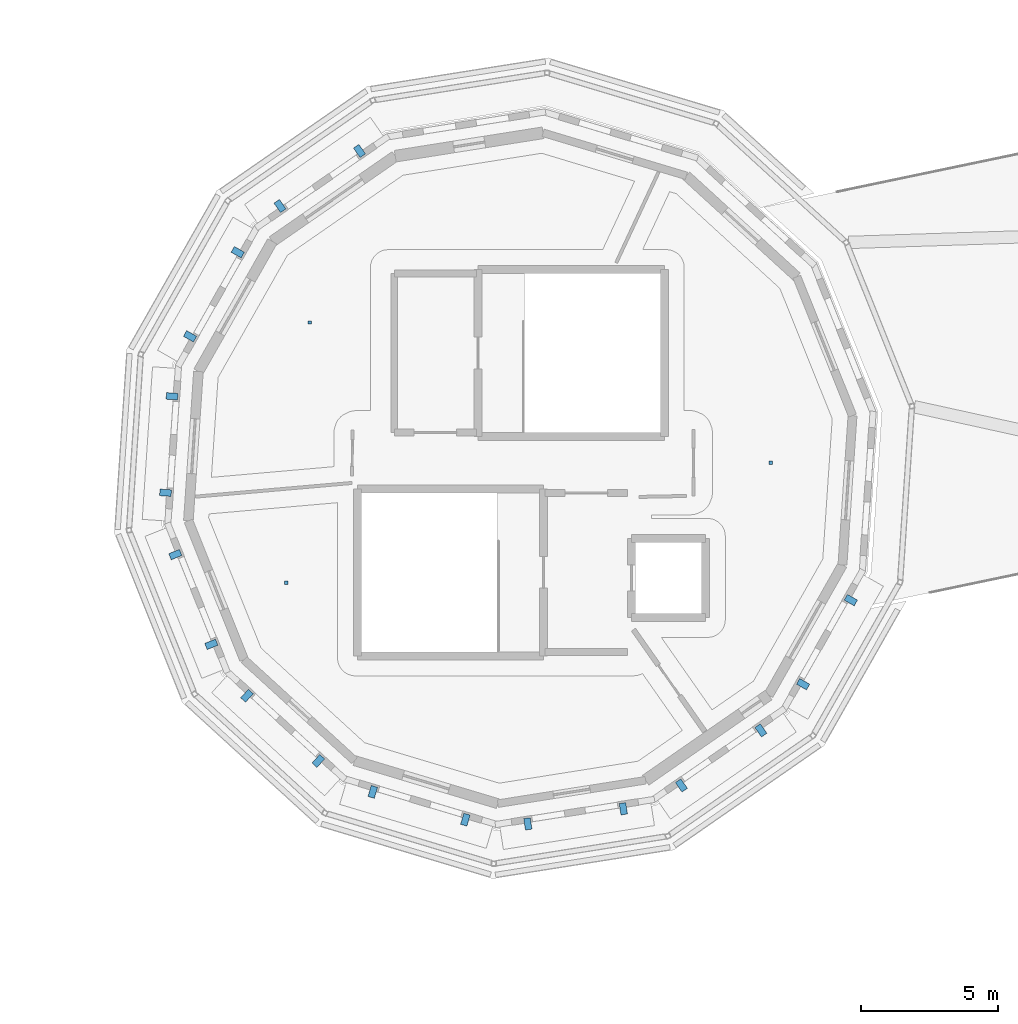
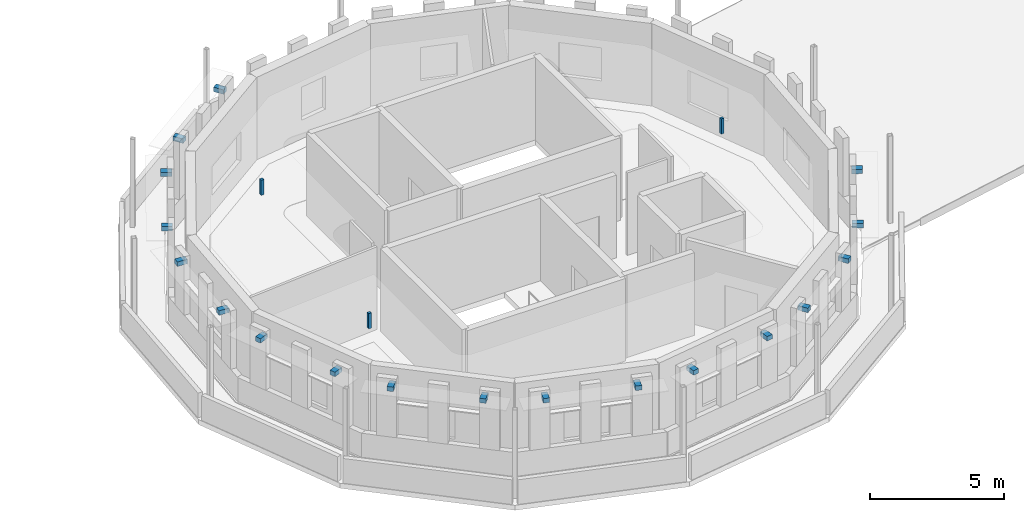
# One storey, part 47 of 51: 21 discrete accessories.
"""IFC4 building model written with IfcOpenShell, lengths in metres."""

from ifc_helpers import new_model, si_unit, direction, frame, origin, origin_2d, place, context, subcontext, project, spatial, rectangle, extrude, material, type_object, element, save


model = new_model("IFC4")

# Units and contexts
model_context = context("Model", 3, precision=1e-05, world=origin(), true_north=direction((0.0, 1.0)))
body_context = subcontext(model_context, "Body", "Model", "MODEL_VIEW")
ifc_project = project(units=[si_unit("LENGTHUNIT", "METRE"), si_unit("AREAUNIT", "SQUARE_METRE"), si_unit("VOLUMEUNIT", "CUBIC_METRE"), si_unit("PLANEANGLEUNIT", "RADIAN"), si_unit("MASSUNIT", "GRAM", prefix="KILO")], contexts=[model_context])

# Site, building, storey
site_placement = place(None, origin())
site = spatial("IfcSite", under=ifc_project, at=site_placement, CompositionType="ELEMENT")
building_placement = place(site_placement, origin())
building = spatial("IfcBuilding", under=site, at=building_placement, Name="Wrenclough Park School", CompositionType="ELEMENT")
storey_placement = place(building_placement, frame((0.0, 0.0, 16.800048828125)))
storey = spatial("IfcBuildingStorey", under=building, at=storey_placement, Name="L04", CompositionType="ELEMENT", Elevation=16.800048828125)

# Discrete accessories
ifc_material_1 = material(Name="Austenitic stainless steel Grade 1.4401", Category="steel")
discrete_accessory_type_1 = type_object("IfcDiscreteAccessoryType", Name="ENV-BRK-01", PredefinedType="BRACKET", material=ifc_material_1)
for number, where, z_axis, x_axis, name in (
    (1, (77.13134765625, 120.0654296875, 3.33984375), (0.0, 0.0, 1.0), (-0.822007690822, -0.569476387771, 0.0), "Brise-soleil stainless outrigger bracket 0251"),
    (2, (74.23388671875, 118.058349609375, 3.33984375), (0.0, 0.0, 1.0), (-0.822007690822, -0.569476387771, 0.0), "Brise-soleil stainless outrigger bracket 0252"),
    (3, (72.6943359375, 116.3740234375, 3.33984375), (0.0, 0.0, 1.0), (-0.493498687923, -0.869746540676, 0.0), "Brise-soleil stainless outrigger bracket 0253"),
    (4, (70.955078125, 113.308349609375, 3.33984375), (0.0, 0.0, 1.0), (-0.493498687923, -0.869746540676, 0.0), "Brise-soleil stainless outrigger bracket 0254"),
    (5, (70.298583984375, 111.122802734375, 3.33984375), (0.0, 0.0, 1.0), (-0.067273714794, -0.997734557534, 0.0), "Brise-soleil stainless outrigger bracket 0255"),
    (6, (70.0615234375, 107.60595703125, 3.33984375), (0.0, 0.0, 1.0), (-0.067273714794, -0.997734557534, 0.0), "Brise-soleil stainless outrigger bracket 0256"),
    (7, (70.41845703125, 105.35205078125, 3.33984375), (0.0, 0.0, 1.0), (0.372297383376, -0.928113494316, 0.0), "Brise-soleil stainless outrigger bracket 0257"),
    (8, (71.730712890625, 102.080810546875, 3.33984375), (0.0, 0.0, 1.0), (0.372297383376, -0.928113494316, 0.0), "Brise-soleil stainless outrigger bracket 0258"),
    (9, (73.0302734375, 100.204833984375, 3.33984375), (0.0, 0.0, 1.0), (0.738116484598, -0.674673295133, 0.0), "Brise-soleil stainless outrigger bracket 0259"),
    (10, (75.6318359375, 97.826904296875, 3.33984375), (0.0, 0.0, 1.0), (0.738116484598, -0.674673295133, 0.0), "Brise-soleil stainless outrigger bracket 0260"),
    (11, (77.61669921875, 96.70068359375, 3.33984375), (0.0, 0.0, 1.0), (0.957750821149, -0.287599312567, 0.0), "Brise-soleil stainless outrigger bracket 0261"),
    (12, (80.992431640625, 95.68701171875, 3.33984375), (0.0, 0.0, 1.0), (0.957750821149, -0.287599312567, 0.0), "Brise-soleil stainless outrigger bracket 0262"),
    (13, (83.269287109375, 95.533447265625, 3.33984375), (0.0, 0.0, 1.0), (0.987688183791, 0.156435455059, 0.0), "Brise-soleil stainless outrigger bracket 0263"),
    (14, (86.750732421875, 96.0849609375, 3.33984375), (0.0, 0.0, 1.0), (0.987688183791, 0.156435455059, 0.0), "Brise-soleil stainless outrigger bracket 0264"),
    (15, (88.86865234375, 96.9345703125, 3.33984375), (0.0, 0.0, 1.0), (0.822007690822, 0.569476387771, 0.0), "Brise-soleil stainless outrigger bracket 0265"),
    (16, (91.76611328125, 98.941650390625, 3.33984375), (0.0, 0.0, 1.0), (0.822007690822, 0.569476387771, 0.0), "Brise-soleil stainless outrigger bracket 0266"),
    (17, (93.3056640625, 100.6259765625, 3.33984375), (0.0, 0.0, 1.0), (0.493498687923, 0.869746540676, 0.0), "Brise-soleil stainless outrigger bracket 0267"),
    (18, (95.044921875, 103.691650390625, 3.33984375), (0.0, 0.0, 1.0), (0.493498687923, 0.869746540676, 0.0), "Brise-soleil stainless outrigger bracket 0268"),
):
    element("IfcDiscreteAccessory", number, at=place(storey_placement, frame(where, z_axis=z_axis, x_axis=x_axis)), inside=storey, type_object=discrete_accessory_type_1, Name=name, PredefinedType="BRACKET", context=body_context, shape_type="SweptSolid", body=[
        extrude(rectangle(XDim=0.239990234375, YDim=0.419921875, at=origin_2d()), origin(), (0.0, 0.0, 1.0), 0.199951171875),
    ])
ifc_material_2 = material(Name="Galvanised steel acoustic ceiling suspension hanger", Category="steel")
discrete_accessory_type_2 = type_object("IfcDiscreteAccessoryType", Name="INT-BRK-HGR", PredefinedType="BRACKET", material=ifc_material_2)
for number, where, z_axis, x_axis, name in (
    (19, (75.322998046875, 113.81494140625, 3.090087890625), (0.0, 0.0, 1.0), (1.0, 0.0, 0.0), "Acoustic ceiling hanger bracket 0085"),
    (20, (74.45849609375, 104.322998046875, 3.090087890625), (0.0, 0.0, 1.0), (1.0, 0.0, 0.0), "Acoustic ceiling hanger bracket 0086"),
    (21, (92.12939453125, 108.699951171875, 3.090087890625), (0.0, 0.0, 1.0), (1.0, 0.0, 0.0), "Acoustic ceiling hanger bracket 0087"),
):
    element("IfcDiscreteAccessory", number, at=place(storey_placement, frame(where, z_axis=z_axis, x_axis=x_axis)), inside=storey, type_object=discrete_accessory_type_2, Name=name, PredefinedType="BRACKET", context=body_context, shape_type="SweptSolid", body=[
        extrude(rectangle(XDim=0.1201171875, YDim=0.1201171875, at=origin_2d()), origin(), (0.0, 0.0, 1.0), 0.68994140625),
    ])

save(model, "model.ifc")
